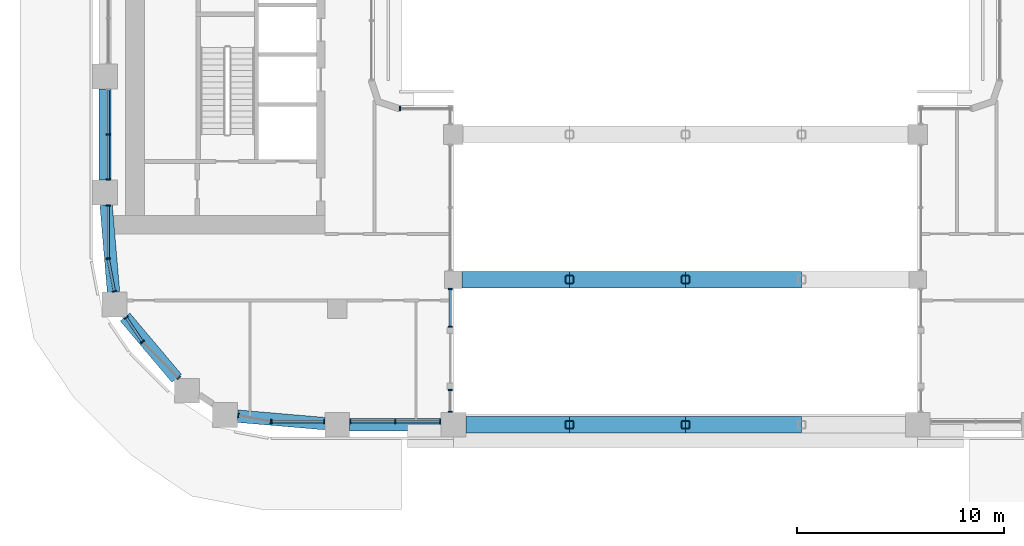
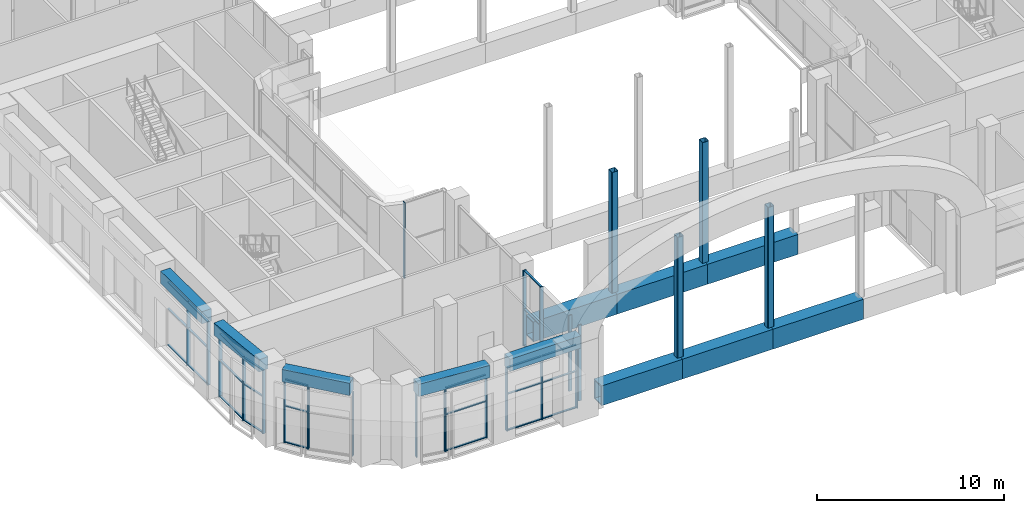
# One storey, part 2 of 28: 59 members, 5 beams, 11 elements without a shape of their own.
"""IFC4 building model written with IfcOpenShell, lengths in metres."""

from ifc_helpers import new_model, si_unit, direction, frame, origin, origin_2d, place, context, subcontext, project, spatial, rectangle, hollow_rectangle, extrude, material, layer, layer_set, material_profile, profile_set, type_object, element, aggregate, save


model = new_model("IFC4")

# Units and contexts
model_context = context("Model", 3, precision=1e-05, world=origin(), true_north=direction((0.0, 1.0)))
body_context = subcontext(model_context, "Body", "Model", "MODEL_VIEW")
ifc_project = project(units=[si_unit("LENGTHUNIT", "METRE"), si_unit("AREAUNIT", "SQUARE_METRE"), si_unit("VOLUMEUNIT", "CUBIC_METRE"), si_unit("PLANEANGLEUNIT", "RADIAN"), si_unit("MASSUNIT", "GRAM", prefix="KILO")], contexts=[model_context])

# Site, building, storey
site_placement = place(None, origin())
site = spatial("IfcSite", under=ifc_project, at=site_placement, CompositionType="ELEMENT")
building_placement = place(site_placement, origin())
building = spatial("IfcBuilding", under=site, at=building_placement, Name="Kiln Ring Residences", CompositionType="ELEMENT")
storey_placement = place(building_placement, frame((0.0, 0.0, 125.300048828125)))
storey = spatial("IfcBuildingStorey", under=building, at=storey_placement, Name="L32", CompositionType="ELEMENT", Elevation=125.300048828125)

# Members
ifc_material_1 = material(Name="Steel S460", Category="steel")
ifc_material_profile_1 = material_profile(ifc_material_1, hollow_rectangle(XDim=0.800048828125, YDim=1.300048828125, WallThickness=0.070068359375, at=origin_2d()), Name="BOX1300x800x70")
ifc_profile_set_1 = profile_set([ifc_material_profile_1], Name="Steel S460")
member_type_1 = type_object("IfcMemberType", Name="Bridge truss chord BOX1300x800x70 S460", PredefinedType="CHORD", material=ifc_profile_set_1)
member_1_placement = place(storey_placement, frame((-10.60009765625, -22.39990234375, 0.64990234375), z_axis=(1.0, 0.0, 0.0), x_axis=(0.0, 1.0, 0.0)))
element("IfcMember", 1, at=member_1_placement, inside=storey, type_object=member_type_1, Name="Bridge truss chord L32 1", PredefinedType="CHORD", context=body_context, shape_type="SweptSolid", body=[
    extrude(hollow_rectangle(XDim=0.800048828125, YDim=1.300048828125, WallThickness=0.070068359375, at=origin_2d()), origin(), (0.0, 0.0, 1.0), 5.0),
])
for number, where, z_axis, x_axis, name in (
    (2, (-5.60009765625, -22.39990234375, 0.64990234375), (1.0, 0.0, 0.0), (0.0, 1.0, 0.0), "Bridge truss chord L32 2"),
    (3, (0.0, -22.39990234375, 0.64990234375), (1.0, 0.0, 0.0), (0.0, 1.0, 0.0), "Bridge truss chord L32 3"),
):
    element("IfcMember", number, at=place(storey_placement, frame(where, z_axis=z_axis, x_axis=x_axis)), inside=storey, type_object=member_type_1, Name=name, PredefinedType="CHORD", context=body_context, shape_type="SweptSolid", body=[
        extrude(hollow_rectangle(XDim=0.800048828125, YDim=1.300048828125, WallThickness=0.070068359375, at=origin_2d()), origin(), (0.0, 0.0, 1.0), 5.60009765625),
    ])
member_2_placement = place(storey_placement, frame((-10.77490234375, -15.39990234375, 0.64990234375), z_axis=(1.0, 0.0, 0.0), x_axis=(0.0, 1.0, 0.0)))
element("IfcMember", 4, at=member_2_placement, inside=storey, type_object=member_type_1, Name="Bridge truss chord L32 5", PredefinedType="CHORD", context=body_context, shape_type="SweptSolid", body=[
    extrude(hollow_rectangle(XDim=0.800048828125, YDim=1.300048828125, WallThickness=0.070068359375, at=origin_2d()), origin(), (0.0, 0.0, 1.0), 5.1748046875),
])
for number, where, z_axis, x_axis, name in (
    (5, (-5.60009765625, -15.39990234375, 0.64990234375), (1.0, 0.0, 0.0), (0.0, 1.0, 0.0), "Bridge truss chord L32 6"),
    (6, (0.0, -15.39990234375, 0.64990234375), (1.0, 0.0, 0.0), (0.0, 1.0, 0.0), "Bridge truss chord L32 7"),
):
    element("IfcMember", number, at=place(storey_placement, frame(where, z_axis=z_axis, x_axis=x_axis)), inside=storey, type_object=member_type_1, Name=name, PredefinedType="CHORD", context=body_context, shape_type="SweptSolid", body=[
        extrude(hollow_rectangle(XDim=0.800048828125, YDim=1.300048828125, WallThickness=0.070068359375, at=origin_2d()), origin(), (0.0, 0.0, 1.0), 5.60009765625),
    ])
ifc_material_2 = material(Name="Steel S355", Category="steel")
ifc_material_profile_2 = material_profile(ifc_material_2, hollow_rectangle(XDim=0.39990234375, YDim=0.39990234375, WallThickness=0.02490234375, InnerFilletRadius=0.02490234375, OuterFilletRadius=0.0625, at=origin_2d()), Name="SHS400x400x25")
ifc_profile_set_2 = profile_set([ifc_material_profile_2], Name="Steel S355")
member_type_2 = type_object("IfcMemberType", Name="Bridge truss post SHS400x400x25 S355", PredefinedType="POST", material=ifc_profile_set_2)
for number, where, z_axis, x_axis, name in (
    (7, (-5.60009765625, -22.39990234375, 1.300048828125), (0.0, 0.0, 1.0), (1.0, 0.0, 0.0), "Bridge truss post L32 1"),
    (8, (0.0, -22.39990234375, 1.300048828125), (0.0, 0.0, 1.0), (1.0, 0.0, 0.0), "Bridge truss post L32 2"),
    (9, (-5.60009765625, -15.39990234375, 1.300048828125), (0.0, 0.0, 1.0), (1.0, 0.0, 0.0), "Bridge truss post L32 4"),
    (10, (0.0, -15.39990234375, 1.300048828125), (0.0, 0.0, 1.0), (1.0, 0.0, 0.0), "Bridge truss post L32 5"),
):
    element("IfcMember", number, at=place(storey_placement, frame(where, z_axis=z_axis, x_axis=x_axis)), inside=storey, type_object=member_type_2, Name=name, PredefinedType="POST", context=body_context, shape_type="SweptSolid", body=[
        extrude(hollow_rectangle(XDim=0.39990234375, YDim=0.39990234375, WallThickness=0.02490234375, InnerFilletRadius=0.02490234375, OuterFilletRadius=0.0625, at=origin_2d()), origin(), (0.0, 0.0, 1.0), 7.89990234375),
    ])

# Curtain wall, members
ifc_material_3 = material(Name="Aluminium and glass", Category="aluminium")
ifc_layer = layer(ifc_material_3, 0.199951171875)
ifc_layer_set = layer_set([ifc_layer], Name="CW1 CURTAIN WALL")
curtain_wall_type = type_object("IfcCurtainWallType", Name="CW1 CURTAIN WALL", PredefinedType="NOTDEFINED", material=ifc_layer_set)
placement = place(storey_placement, origin())
curtain_wall_1 = element("IfcCurtainWall", 11, at=placement, inside=storey, type_object=curtain_wall_type, Name="Curtain wall CW1 L32", PredefinedType="NOTDEFINED")
ifc_material_4 = material(Name="Aluminium 6063-T6", Category="aluminium")
ifc_material_profile_3 = material_profile(ifc_material_4, rectangle(XDim=0.199951171875, YDim=0.06005859375, at=origin_2d()), Name="AL 200x60")
ifc_profile_set_3 = profile_set([ifc_material_profile_3], Name="Aluminium 6063-T6")
member_type_3 = type_object("IfcMemberType", Name="CW1 MULLION 200 x 60", PredefinedType="MULLION", material=ifc_profile_set_3)
member_3_placement = place(storey_placement, frame((-27.846923828125, -14.4013671875, 0.0), z_axis=(0.0, 0.0, 1.0), x_axis=(0.982290257803, 0.187365550262, 0.0)))
member_3 = element("IfcMember", 12, at=member_3_placement, type_object=member_type_3, Name="CW1 mullion 1", PredefinedType="MULLION", context=body_context, shape_type="SweptSolid", body=[
    extrude(rectangle(XDim=0.199951171875, YDim=0.06005859375, at=origin_2d()), origin(), (0.0, 0.0, 1.0), 4.14990234375),
])
member_4_placement = place(storey_placement, frame((-27.548095703125, -15.96923828125, 0.0), z_axis=(0.0, 0.0, 1.0), x_axis=(0.982290257803, 0.187365550262, 0.0)))
member_4 = element("IfcMember", 13, at=member_4_placement, type_object=member_type_3, Name="CW1 mullion 2", PredefinedType="MULLION", context=body_context, shape_type="SweptSolid", body=[
    extrude(rectangle(XDim=0.199951171875, YDim=0.06005859375, at=origin_2d()), origin(), (0.0, 0.0, 1.0), 4.14990234375),
])

curtain_wall_2 = element("IfcCurtainWall", 14, at=placement, inside=storey, type_object=curtain_wall_type, Name="Curtain wall CW1 L32", PredefinedType="NOTDEFINED")
member_5_placement = place(storey_placement, frame((-26.980224609375, -17.2333984375, 0.0), z_axis=(0.0, 0.0, 1.0), x_axis=(0.827071553419, 0.562096651409, 0.0)))
member_5 = element("IfcMember", 15, at=member_5_placement, type_object=member_type_3, Name="CW1 mullion 1", PredefinedType="MULLION", context=body_context, shape_type="SweptSolid", body=[
    extrude(rectangle(XDim=0.199951171875, YDim=0.06005859375, at=origin_2d()), origin(), (0.0, 0.0, 1.0), 4.14990234375),
])
member_6_placement = place(storey_placement, frame((-26.19580078125, -18.387939453125, 0.0), z_axis=(0.0, 0.0, 1.0), x_axis=(0.827071553419, 0.562096651409, 0.0)))
member_6 = element("IfcMember", 16, at=member_6_placement, type_object=member_type_3, Name="CW1 mullion 2", PredefinedType="MULLION", context=body_context, shape_type="SweptSolid", body=[
    extrude(rectangle(XDim=0.199951171875, YDim=0.06005859375, at=origin_2d()), origin(), (0.0, 0.0, 1.0), 4.14990234375),
])

curtain_wall_3 = element("IfcCurtainWall", 17, at=placement, inside=storey, type_object=curtain_wall_type, Name="Curtain wall CW1 L32", PredefinedType="NOTDEFINED")
member_7_placement = place(storey_placement, frame((-26.17578125, -18.412109375, 0.0), z_axis=(0.0, 0.0, 1.0), x_axis=(0.707106781187, 0.707106781187, 0.0)))
member_7 = element("IfcMember", 18, at=member_7_placement, type_object=member_type_3, Name="CW1 mullion 1", PredefinedType="MULLION", context=body_context, shape_type="SweptSolid", body=[
    extrude(rectangle(XDim=0.199951171875, YDim=0.06005859375, at=origin_2d()), origin(), (0.0, 0.0, 1.0), 4.14990234375),
])
member_8_placement = place(storey_placement, frame((-24.44921875, -20.138671875, 0.0), z_axis=(0.0, 0.0, 1.0), x_axis=(0.707106781187, 0.707106781187, 0.0)))
member_8 = element("IfcMember", 19, at=member_8_placement, type_object=member_type_3, Name="CW1 mullion 2", PredefinedType="MULLION", context=body_context, shape_type="SweptSolid", body=[
    extrude(rectangle(XDim=0.199951171875, YDim=0.06005859375, at=origin_2d()), origin(), (0.0, 0.0, 1.0), 4.14990234375),
])
aggregate(curtain_wall_3, [member_7, member_8])

curtain_wall_4 = element("IfcCurtainWall", 20, at=placement, inside=storey, type_object=curtain_wall_type, Name="Curtain wall CW1 L32", PredefinedType="NOTDEFINED")
member_9_placement = place(storey_placement, frame((-21.5693359375, -21.947998046875, 0.0), z_axis=(0.0, 0.0, 1.0), x_axis=(0.187365550262, 0.982290257803, 0.0)))
member_9 = element("IfcMember", 21, at=member_9_placement, type_object=member_type_3, Name="CW1 mullion 1", PredefinedType="MULLION", context=body_context, shape_type="SweptSolid", body=[
    extrude(rectangle(XDim=0.199951171875, YDim=0.06005859375, at=origin_2d()), origin(), (0.0, 0.0, 1.0), 4.14990234375),
])
member_10_placement = place(storey_placement, frame((-20.00146484375, -22.2470703125, 0.0), z_axis=(0.0, 0.0, 1.0), x_axis=(0.187365550262, 0.982290257803, 0.0)))
member_10 = element("IfcMember", 22, at=member_10_placement, type_object=member_type_3, Name="CW1 mullion 2", PredefinedType="MULLION", context=body_context, shape_type="SweptSolid", body=[
    extrude(rectangle(XDim=0.199951171875, YDim=0.06005859375, at=origin_2d()), origin(), (0.0, 0.0, 1.0), 4.14990234375),
])
aggregate(curtain_wall_4, [member_9, member_10])

curtain_wall_5 = element("IfcCurtainWall", 23, at=placement, inside=storey, type_object=curtain_wall_type, Name="Curtain wall CW1 L32", PredefinedType="NOTDEFINED")
member_11_placement = place(storey_placement, frame((-19.969970703125, -22.25, 0.0), z_axis=(0.0, 0.0, 1.0), x_axis=(0.0, 1.0, 0.0)))
member_11 = element("IfcMember", 24, at=member_11_placement, type_object=member_type_3, Name="CW1 mullion 1", PredefinedType="MULLION", context=body_context, shape_type="SweptSolid", body=[
    extrude(rectangle(XDim=0.199951171875, YDim=0.06005859375, at=origin_2d()), origin(), (0.0, 0.0, 1.0), 4.14990234375),
])
member_12_placement = place(storey_placement, frame((-17.429931640625, -22.25, 0.0), z_axis=(0.0, 0.0, 1.0), x_axis=(0.0, 1.0, 0.0)))
member_12 = element("IfcMember", 25, at=member_12_placement, type_object=member_type_3, Name="CW1 mullion 2", PredefinedType="MULLION", context=body_context, shape_type="SweptSolid", body=[
    extrude(rectangle(XDim=0.199951171875, YDim=0.06005859375, at=origin_2d()), origin(), (0.0, 0.0, 1.0), 4.14990234375),
])

curtain_wall_6 = element("IfcCurtainWall", 26, at=placement, inside=storey, type_object=curtain_wall_type, Name="Curtain wall CW1 L32", PredefinedType="NOTDEFINED")
member_13_placement = place(storey_placement, frame((-16.169921875, -22.25, 0.0), z_axis=(0.0, 0.0, 1.0), x_axis=(0.0, 1.0, 0.0)))
member_13 = element("IfcMember", 27, at=member_13_placement, type_object=member_type_3, Name="CW1 mullion 1", PredefinedType="MULLION", context=body_context, shape_type="SweptSolid", body=[
    extrude(rectangle(XDim=0.199951171875, YDim=0.06005859375, at=origin_2d()), origin(), (0.0, 0.0, 1.0), 4.14990234375),
])
member_14_placement = place(storey_placement, frame((-14.0, -22.25, 0.0), z_axis=(0.0, 0.0, 1.0), x_axis=(0.0, 1.0, 0.0)))
member_14 = element("IfcMember", 28, at=member_14_placement, type_object=member_type_3, Name="CW1 mullion 2", PredefinedType="MULLION", context=body_context, shape_type="SweptSolid", body=[
    extrude(rectangle(XDim=0.199951171875, YDim=0.06005859375, at=origin_2d()), origin(), (0.0, 0.0, 1.0), 4.14990234375),
])
member_15_placement = place(storey_placement, frame((-11.830078125, -22.25, 0.0), z_axis=(0.0, 0.0, 1.0), x_axis=(0.0, 1.0, 0.0)))
member_15 = element("IfcMember", 29, at=member_15_placement, type_object=member_type_3, Name="CW1 mullion 3", PredefinedType="MULLION", context=body_context, shape_type="SweptSolid", body=[
    extrude(rectangle(XDim=0.199951171875, YDim=0.06005859375, at=origin_2d()), origin(), (0.0, 0.0, 1.0), 4.14990234375),
])

curtain_wall_7 = element("IfcCurtainWall", 30, at=placement, inside=storey, type_object=curtain_wall_type, Name="Curtain wall CW1 L32", PredefinedType="NOTDEFINED")
member_16_placement = place(storey_placement, frame((-11.35009765625, -21.77001953125, 0.0), z_axis=(0.0, 0.0, 1.0), x_axis=(-1.0, 0.0, 0.0)))
member_16 = element("IfcMember", 31, at=member_16_placement, type_object=member_type_3, Name="CW1 mullion 1", PredefinedType="MULLION", context=body_context, shape_type="SweptSolid", body=[
    extrude(rectangle(XDim=0.199951171875, YDim=0.06005859375, at=origin_2d()), origin(), (0.0, 0.0, 1.0), 4.949951171875),
])
member_17_placement = place(storey_placement, frame((-11.35009765625, -20.72998046875, 0.0), z_axis=(0.0, 0.0, 1.0), x_axis=(-1.0, 0.0, 0.0)))
member_17 = element("IfcMember", 32, at=member_17_placement, type_object=member_type_3, Name="CW1 mullion 2", PredefinedType="MULLION", context=body_context, shape_type="SweptSolid", body=[
    extrude(rectangle(XDim=0.199951171875, YDim=0.06005859375, at=origin_2d()), origin(), (0.0, 0.0, 1.0), 4.949951171875),
])
aggregate(curtain_wall_7, [member_16, member_17])

curtain_wall_8 = element("IfcCurtainWall", 33, at=placement, inside=storey, type_object=curtain_wall_type, Name="Curtain wall CW1 L32", PredefinedType="NOTDEFINED")
member_18_placement = place(storey_placement, frame((-11.35009765625, -17.669921875, 0.0), z_axis=(0.0, 0.0, 1.0), x_axis=(-1.0, 0.0, 0.0)))
member_18 = element("IfcMember", 34, at=member_18_placement, type_object=member_type_3, Name="CW1 mullion 1", PredefinedType="MULLION", context=body_context, shape_type="SweptSolid", body=[
    extrude(rectangle(XDim=0.199951171875, YDim=0.06005859375, at=origin_2d()), origin(), (0.0, 0.0, 1.0), 4.949951171875),
])
member_19_placement = place(storey_placement, frame((-11.35009765625, -15.85498046875, 0.0), z_axis=(0.0, 0.0, 1.0), x_axis=(-1.0, 0.0, 0.0)))
member_19 = element("IfcMember", 35, at=member_19_placement, type_object=member_type_3, Name="CW1 mullion 2", PredefinedType="MULLION", context=body_context, shape_type="SweptSolid", body=[
    extrude(rectangle(XDim=0.199951171875, YDim=0.06005859375, at=origin_2d()), origin(), (0.0, 0.0, 1.0), 4.949951171875),
])

# Curtain wall, member
curtain_wall_9 = element("IfcCurtainWall", 36, at=placement, inside=storey, type_object=curtain_wall_type, Name="Curtain wall CW1 L32", PredefinedType="NOTDEFINED")
member_20_placement = place(storey_placement, frame((-13.77001953125, -7.14990234375, 0.0), z_axis=(0.0, 0.0, 1.0), x_axis=(0.0, -1.0, 0.0)))
member_20 = element("IfcMember", 37, at=member_20_placement, type_object=member_type_3, Name="CW1 mullion 2", PredefinedType="MULLION", context=body_context, shape_type="SweptSolid", body=[
    extrude(rectangle(XDim=0.199951171875, YDim=0.06005859375, at=origin_2d()), origin(), (0.0, 0.0, 1.0), 4.949951171875),
])
aggregate(curtain_wall_9, [member_20])

# Curtain wall, members
curtain_wall_10 = element("IfcCurtainWall", 38, at=placement, inside=storey, type_object=curtain_wall_type, Name="Curtain wall CW1 L32", PredefinedType="NOTDEFINED")
member_21_placement = place(storey_placement, frame((-27.85009765625, -8.39990234375, 0.0), z_axis=(0.0, 0.0, 1.0), x_axis=(1.0, 0.0, 0.0)))
member_21 = element("IfcMember", 39, at=member_21_placement, type_object=member_type_3, Name="CW1 mullion 2", PredefinedType="MULLION", context=body_context, shape_type="SweptSolid", body=[
    extrude(rectangle(XDim=0.199951171875, YDim=0.06005859375, at=origin_2d()), origin(), (0.0, 0.0, 1.0), 4.14990234375),
])
member_22_placement = place(storey_placement, frame((-27.85009765625, -10.570068359375, 0.0), z_axis=(0.0, 0.0, 1.0), x_axis=(1.0, 0.0, 0.0)))
member_22 = element("IfcMember", 40, at=member_22_placement, type_object=member_type_3, Name="CW1 mullion 3", PredefinedType="MULLION", context=body_context, shape_type="SweptSolid", body=[
    extrude(rectangle(XDim=0.199951171875, YDim=0.06005859375, at=origin_2d()), origin(), (0.0, 0.0, 1.0), 4.14990234375),
])

curtain_wall_11 = element("IfcCurtainWall", 41, at=placement, inside=storey, type_object=curtain_wall_type, Name="Curtain wall CW1 L32", PredefinedType="NOTDEFINED")
member_23_placement = place(storey_placement, frame((-27.85009765625, -11.830078125, 0.0), z_axis=(0.0, 0.0, 1.0), x_axis=(1.0, 0.0, 0.0)))
member_23 = element("IfcMember", 42, at=member_23_placement, type_object=member_type_3, Name="CW1 mullion 1", PredefinedType="MULLION", context=body_context, shape_type="SweptSolid", body=[
    extrude(rectangle(XDim=0.199951171875, YDim=0.06005859375, at=origin_2d()), origin(), (0.0, 0.0, 1.0), 4.14990234375),
])
member_24_placement = place(storey_placement, frame((-27.85009765625, -14.3701171875, 0.0), z_axis=(0.0, 0.0, 1.0), x_axis=(1.0, 0.0, 0.0)))
member_24 = element("IfcMember", 43, at=member_24_placement, type_object=member_type_3, Name="CW1 mullion 2", PredefinedType="MULLION", context=body_context, shape_type="SweptSolid", body=[
    extrude(rectangle(XDim=0.199951171875, YDim=0.06005859375, at=origin_2d()), origin(), (0.0, 0.0, 1.0), 4.14990234375),
])

# Member
ifc_material_5 = material(Name="Aluminium 6063-T6", Category="aluminium")
ifc_material_profile_4 = material_profile(ifc_material_5, rectangle(XDim=0.1201171875, YDim=0.06005859375, at=origin_2d()), Name="AL 120x60")
ifc_profile_set_4 = profile_set([ifc_material_profile_4], Name="Aluminium 6063-T6")
member_type_4 = type_object("IfcMemberType", Name="CW1 TRANSOM 120 x 60", PredefinedType="USERDEFINED", material=ifc_profile_set_4)
member_25_placement = place(storey_placement, frame((-27.84130859375, -14.430908203125, 0.030029296875), z_axis=(0.187243579417, -0.98231351511, 0.0), x_axis=(0.98231351511, 0.187243579417, 0.0)))
member_25 = element("IfcMember", 44, at=member_25_placement, type_object=member_type_4, Name="CW1 transom 1.1", ObjectType="TRANSOM", PredefinedType="USERDEFINED", context=body_context, shape_type="SweptSolid", body=[
    extrude(rectangle(XDim=0.1201171875, YDim=0.06005859375, at=origin_2d()), origin(), (0.0, 0.0, 1.0), 1.535888671875),
])

member_26_placement = place(storey_placement, frame((-27.84130859375, -14.430908203125, 2.39990234375), z_axis=(0.187243579417, -0.98231351511, 0.0), x_axis=(0.98231351511, 0.187243579417, 0.0)))
member_26 = element("IfcMember", 45, at=member_26_placement, type_object=member_type_4, Name="CW1 transom 1.2", ObjectType="TRANSOM", PredefinedType="USERDEFINED", context=body_context, shape_type="SweptSolid", body=[
    extrude(rectangle(XDim=0.1201171875, YDim=0.06005859375, at=origin_2d()), origin(), (0.0, 0.0, 1.0), 1.535888671875),
])

member_27_placement = place(storey_placement, frame((-27.84130859375, -14.430908203125, 4.119873046875), z_axis=(0.187243579417, -0.98231351511, 0.0), x_axis=(0.98231351511, 0.187243579417, 0.0)))
member_27 = element("IfcMember", 46, at=member_27_placement, type_object=member_type_4, Name="CW1 transom 1.3", ObjectType="TRANSOM", PredefinedType="USERDEFINED", context=body_context, shape_type="SweptSolid", body=[
    extrude(rectangle(XDim=0.1201171875, YDim=0.06005859375, at=origin_2d()), origin(), (0.0, 0.0, 1.0), 1.535888671875),
])

aggregate(curtain_wall_1, [member_3, member_4, member_25, member_26, member_27])

member_28_placement = place(storey_placement, frame((-26.96337890625, -17.25830078125, 0.030029296875), z_axis=(0.562060017944, -0.82709644917, 0.0), x_axis=(0.82709644917, 0.562060017944, 0.0)))
member_28 = element("IfcMember", 47, at=member_28_placement, type_object=member_type_4, Name="CW1 transom 1.1", ObjectType="TRANSOM", PredefinedType="USERDEFINED", context=body_context, shape_type="SweptSolid", body=[
    extrude(rectangle(XDim=0.1201171875, YDim=0.06005859375, at=origin_2d()), origin(), (0.0, 0.0, 1.0), 1.335693359375),
])

member_29_placement = place(storey_placement, frame((-26.96337890625, -17.25830078125, 2.39990234375), z_axis=(0.562060017944, -0.82709644917, 0.0), x_axis=(0.82709644917, 0.562060017944, 0.0)))
member_29 = element("IfcMember", 48, at=member_29_placement, type_object=member_type_4, Name="CW1 transom 1.2", ObjectType="TRANSOM", PredefinedType="USERDEFINED", context=body_context, shape_type="SweptSolid", body=[
    extrude(rectangle(XDim=0.1201171875, YDim=0.06005859375, at=origin_2d()), origin(), (0.0, 0.0, 1.0), 1.335693359375),
])

member_30_placement = place(storey_placement, frame((-26.96337890625, -17.25830078125, 4.119873046875), z_axis=(0.562060017944, -0.82709644917, 0.0), x_axis=(0.82709644917, 0.562060017944, 0.0)))
member_30 = element("IfcMember", 49, at=member_30_placement, type_object=member_type_4, Name="CW1 transom 1.3", ObjectType="TRANSOM", PredefinedType="USERDEFINED", context=body_context, shape_type="SweptSolid", body=[
    extrude(rectangle(XDim=0.1201171875, YDim=0.06005859375, at=origin_2d()), origin(), (0.0, 0.0, 1.0), 1.335693359375),
])

aggregate(curtain_wall_2, [member_5, member_6, member_28, member_29, member_30])

member_31_placement = place(storey_placement, frame((-19.93994140625, -22.25, 0.030029296875), z_axis=(1.0, 0.0, 0.0), x_axis=(0.0, 1.0, 0.0)))
member_31 = element("IfcMember", 50, at=member_31_placement, type_object=member_type_4, Name="CW1 transom 1.1", ObjectType="TRANSOM", PredefinedType="USERDEFINED", context=body_context, shape_type="SweptSolid", body=[
    extrude(rectangle(XDim=0.1201171875, YDim=0.06005859375, at=origin_2d()), origin(), (0.0, 0.0, 1.0), 2.47998046875),
])

member_32_placement = place(storey_placement, frame((-19.93994140625, -22.25, 2.39990234375), z_axis=(1.0, 0.0, 0.0), x_axis=(0.0, 1.0, 0.0)))
member_32 = element("IfcMember", 51, at=member_32_placement, type_object=member_type_4, Name="CW1 transom 1.2", ObjectType="TRANSOM", PredefinedType="USERDEFINED", context=body_context, shape_type="SweptSolid", body=[
    extrude(rectangle(XDim=0.1201171875, YDim=0.06005859375, at=origin_2d()), origin(), (0.0, 0.0, 1.0), 2.47998046875),
])

member_33_placement = place(storey_placement, frame((-19.93994140625, -22.25, 4.119873046875), z_axis=(1.0, 0.0, 0.0), x_axis=(0.0, 1.0, 0.0)))
member_33 = element("IfcMember", 52, at=member_33_placement, type_object=member_type_4, Name="CW1 transom 1.3", ObjectType="TRANSOM", PredefinedType="USERDEFINED", context=body_context, shape_type="SweptSolid", body=[
    extrude(rectangle(XDim=0.1201171875, YDim=0.06005859375, at=origin_2d()), origin(), (0.0, 0.0, 1.0), 2.47998046875),
])

aggregate(curtain_wall_5, [member_11, member_12, member_31, member_32, member_33])

member_34_placement = place(storey_placement, frame((-16.139892578125, -22.25, 0.030029296875), z_axis=(1.0, 0.0, 0.0), x_axis=(0.0, 1.0, 0.0)))
member_34 = element("IfcMember", 53, at=member_34_placement, type_object=member_type_4, Name="CW1 transom 1.1", ObjectType="TRANSOM", PredefinedType="USERDEFINED", context=body_context, shape_type="SweptSolid", body=[
    extrude(rectangle(XDim=0.1201171875, YDim=0.06005859375, at=origin_2d()), origin(), (0.0, 0.0, 1.0), 2.10986328125),
])

member_35_placement = place(storey_placement, frame((-16.139892578125, -22.25, 2.39990234375), z_axis=(1.0, 0.0, 0.0), x_axis=(0.0, 1.0, 0.0)))
member_35 = element("IfcMember", 54, at=member_35_placement, type_object=member_type_4, Name="CW1 transom 1.2", ObjectType="TRANSOM", PredefinedType="USERDEFINED", context=body_context, shape_type="SweptSolid", body=[
    extrude(rectangle(XDim=0.1201171875, YDim=0.06005859375, at=origin_2d()), origin(), (0.0, 0.0, 1.0), 2.10986328125),
])

member_36_placement = place(storey_placement, frame((-16.139892578125, -22.25, 4.119873046875), z_axis=(1.0, 0.0, 0.0), x_axis=(0.0, 1.0, 0.0)))
member_36 = element("IfcMember", 55, at=member_36_placement, type_object=member_type_4, Name="CW1 transom 1.3", ObjectType="TRANSOM", PredefinedType="USERDEFINED", context=body_context, shape_type="SweptSolid", body=[
    extrude(rectangle(XDim=0.1201171875, YDim=0.06005859375, at=origin_2d()), origin(), (0.0, 0.0, 1.0), 2.10986328125),
])

member_37_placement = place(storey_placement, frame((-13.969970703125, -22.25, 0.030029296875), z_axis=(1.0, 0.0, 0.0), x_axis=(0.0, 1.0, 0.0)))
member_37 = element("IfcMember", 56, at=member_37_placement, type_object=member_type_4, Name="CW1 transom 2.1", ObjectType="TRANSOM", PredefinedType="USERDEFINED", context=body_context, shape_type="SweptSolid", body=[
    extrude(rectangle(XDim=0.1201171875, YDim=0.06005859375, at=origin_2d()), origin(), (0.0, 0.0, 1.0), 2.10986328125),
])

member_38_placement = place(storey_placement, frame((-13.969970703125, -22.25, 2.39990234375), z_axis=(1.0, 0.0, 0.0), x_axis=(0.0, 1.0, 0.0)))
member_38 = element("IfcMember", 57, at=member_38_placement, type_object=member_type_4, Name="CW1 transom 2.2", ObjectType="TRANSOM", PredefinedType="USERDEFINED", context=body_context, shape_type="SweptSolid", body=[
    extrude(rectangle(XDim=0.1201171875, YDim=0.06005859375, at=origin_2d()), origin(), (0.0, 0.0, 1.0), 2.10986328125),
])

member_39_placement = place(storey_placement, frame((-13.969970703125, -22.25, 4.119873046875), z_axis=(1.0, 0.0, 0.0), x_axis=(0.0, 1.0, 0.0)))
member_39 = element("IfcMember", 58, at=member_39_placement, type_object=member_type_4, Name="CW1 transom 2.3", ObjectType="TRANSOM", PredefinedType="USERDEFINED", context=body_context, shape_type="SweptSolid", body=[
    extrude(rectangle(XDim=0.1201171875, YDim=0.06005859375, at=origin_2d()), origin(), (0.0, 0.0, 1.0), 2.10986328125),
])

aggregate(curtain_wall_6, [member_13, member_14, member_15, member_34, member_35, member_36, member_37, member_38, member_39])

member_40_placement = place(storey_placement, frame((-11.35009765625, -17.639892578125, 0.030029296875), z_axis=(0.0, 1.0, 0.0), x_axis=(-1.0, 0.0, 0.0)))
member_40 = element("IfcMember", 59, at=member_40_placement, type_object=member_type_4, Name="CW1 transom 1.1", ObjectType="TRANSOM", PredefinedType="USERDEFINED", context=body_context, shape_type="SweptSolid", body=[
    extrude(rectangle(XDim=0.1201171875, YDim=0.06005859375, at=origin_2d()), origin(), (0.0, 0.0, 1.0), 1.7548828125),
])

member_41_placement = place(storey_placement, frame((-11.35009765625, -17.639892578125, 2.39990234375), z_axis=(0.0, 1.0, 0.0), x_axis=(-1.0, 0.0, 0.0)))
member_41 = element("IfcMember", 60, at=member_41_placement, type_object=member_type_4, Name="CW1 transom 1.2", ObjectType="TRANSOM", PredefinedType="USERDEFINED", context=body_context, shape_type="SweptSolid", body=[
    extrude(rectangle(XDim=0.1201171875, YDim=0.06005859375, at=origin_2d()), origin(), (0.0, 0.0, 1.0), 1.7548828125),
])

member_42_placement = place(storey_placement, frame((-11.35009765625, -17.639892578125, 4.919921875), z_axis=(0.0, 1.0, 0.0), x_axis=(-1.0, 0.0, 0.0)))
member_42 = element("IfcMember", 61, at=member_42_placement, type_object=member_type_4, Name="CW1 transom 1.3", ObjectType="TRANSOM", PredefinedType="USERDEFINED", context=body_context, shape_type="SweptSolid", body=[
    extrude(rectangle(XDim=0.1201171875, YDim=0.06005859375, at=origin_2d()), origin(), (0.0, 0.0, 1.0), 1.7548828125),
])

aggregate(curtain_wall_8, [member_18, member_19, member_40, member_41, member_42])

member_43_placement = place(storey_placement, frame((-27.85009765625, -6.260009765625, 0.030029296875), z_axis=(0.0, -1.0, 0.0), x_axis=(1.0, 0.0, 0.0)))
member_43 = element("IfcMember", 62, at=member_43_placement, type_object=member_type_4, Name="CW1 transom 1.1", ObjectType="TRANSOM", PredefinedType="USERDEFINED", context=body_context, shape_type="SweptSolid", body=[
    extrude(rectangle(XDim=0.1201171875, YDim=0.06005859375, at=origin_2d()), origin(), (0.0, 0.0, 1.0), 2.110107421875),
])

member_44_placement = place(storey_placement, frame((-27.85009765625, -6.260009765625, 2.39990234375), z_axis=(0.0, -1.0, 0.0), x_axis=(1.0, 0.0, 0.0)))
member_44 = element("IfcMember", 63, at=member_44_placement, type_object=member_type_4, Name="CW1 transom 1.2", ObjectType="TRANSOM", PredefinedType="USERDEFINED", context=body_context, shape_type="SweptSolid", body=[
    extrude(rectangle(XDim=0.1201171875, YDim=0.06005859375, at=origin_2d()), origin(), (0.0, 0.0, 1.0), 2.110107421875),
])

member_45_placement = place(storey_placement, frame((-27.85009765625, -6.260009765625, 4.119873046875), z_axis=(0.0, -1.0, 0.0), x_axis=(1.0, 0.0, 0.0)))
member_45 = element("IfcMember", 64, at=member_45_placement, type_object=member_type_4, Name="CW1 transom 1.3", ObjectType="TRANSOM", PredefinedType="USERDEFINED", context=body_context, shape_type="SweptSolid", body=[
    extrude(rectangle(XDim=0.1201171875, YDim=0.06005859375, at=origin_2d()), origin(), (0.0, 0.0, 1.0), 2.110107421875),
])

member_46_placement = place(storey_placement, frame((-27.85009765625, -8.429931640625, 0.030029296875), z_axis=(0.0, -1.0, 0.0), x_axis=(1.0, 0.0, 0.0)))
member_46 = element("IfcMember", 65, at=member_46_placement, type_object=member_type_4, Name="CW1 transom 2.1", ObjectType="TRANSOM", PredefinedType="USERDEFINED", context=body_context, shape_type="SweptSolid", body=[
    extrude(rectangle(XDim=0.1201171875, YDim=0.06005859375, at=origin_2d()), origin(), (0.0, 0.0, 1.0), 2.110107421875),
])

member_47_placement = place(storey_placement, frame((-27.85009765625, -8.429931640625, 2.39990234375), z_axis=(0.0, -1.0, 0.0), x_axis=(1.0, 0.0, 0.0)))
member_47 = element("IfcMember", 66, at=member_47_placement, type_object=member_type_4, Name="CW1 transom 2.2", ObjectType="TRANSOM", PredefinedType="USERDEFINED", context=body_context, shape_type="SweptSolid", body=[
    extrude(rectangle(XDim=0.1201171875, YDim=0.06005859375, at=origin_2d()), origin(), (0.0, 0.0, 1.0), 2.110107421875),
])

member_48_placement = place(storey_placement, frame((-27.85009765625, -8.429931640625, 4.119873046875), z_axis=(0.0, -1.0, 0.0), x_axis=(1.0, 0.0, 0.0)))
member_48 = element("IfcMember", 67, at=member_48_placement, type_object=member_type_4, Name="CW1 transom 2.3", ObjectType="TRANSOM", PredefinedType="USERDEFINED", context=body_context, shape_type="SweptSolid", body=[
    extrude(rectangle(XDim=0.1201171875, YDim=0.06005859375, at=origin_2d()), origin(), (0.0, 0.0, 1.0), 2.110107421875),
])

aggregate(curtain_wall_10, [member_21, member_22, member_43, member_44, member_45, member_46, member_47, member_48])

member_49_placement = place(storey_placement, frame((-27.85009765625, -11.860107421875, 0.030029296875), z_axis=(0.0, -1.0, 0.0), x_axis=(1.0, 0.0, 0.0)))
member_49 = element("IfcMember", 68, at=member_49_placement, type_object=member_type_4, Name="CW1 transom 1.1", ObjectType="TRANSOM", PredefinedType="USERDEFINED", context=body_context, shape_type="SweptSolid", body=[
    extrude(rectangle(XDim=0.1201171875, YDim=0.06005859375, at=origin_2d()), origin(), (0.0, 0.0, 1.0), 2.47998046875),
])

member_50_placement = place(storey_placement, frame((-27.85009765625, -11.860107421875, 2.39990234375), z_axis=(0.0, -1.0, 0.0), x_axis=(1.0, 0.0, 0.0)))
member_50 = element("IfcMember", 69, at=member_50_placement, type_object=member_type_4, Name="CW1 transom 1.2", ObjectType="TRANSOM", PredefinedType="USERDEFINED", context=body_context, shape_type="SweptSolid", body=[
    extrude(rectangle(XDim=0.1201171875, YDim=0.06005859375, at=origin_2d()), origin(), (0.0, 0.0, 1.0), 2.47998046875),
])

member_51_placement = place(storey_placement, frame((-27.85009765625, -11.860107421875, 4.119873046875), z_axis=(0.0, -1.0, 0.0), x_axis=(1.0, 0.0, 0.0)))
member_51 = element("IfcMember", 70, at=member_51_placement, type_object=member_type_4, Name="CW1 transom 1.3", ObjectType="TRANSOM", PredefinedType="USERDEFINED", context=body_context, shape_type="SweptSolid", body=[
    extrude(rectangle(XDim=0.1201171875, YDim=0.06005859375, at=origin_2d()), origin(), (0.0, 0.0, 1.0), 2.47998046875),
])

aggregate(curtain_wall_11, [member_23, member_24, member_49, member_50, member_51])

# Beams
ifc_material_6 = material(Name="Concrete C50/60", Category="concrete")
ifc_material_profile_5 = material_profile(ifc_material_6, rectangle(XDim=0.60009765625, YDim=0.800048828125, at=origin_2d()), Name="RC600x800")
ifc_profile_set_5 = profile_set([ifc_material_profile_5], Name="Concrete C50/60")
beam_type = type_object("IfcBeamType", Name="Spandrel beam RC600x800 C50/60", PredefinedType="SPANDREL", material=ifc_profile_set_5)
beam_1_placement = place(storey_placement, frame((-21.608642578125, -21.9892578125, 4.550048828125), z_axis=(0.996369376645, -0.085135570033, 0.0), x_axis=(0.085135570033, 0.996369376645, 0.0)))
element("IfcBeam", 71, at=beam_1_placement, inside=storey, type_object=beam_type, Name="Spandrel beam L32 1", PredefinedType="SPANDREL", context=body_context, shape_type="SweptSolid", body=[
    extrude(rectangle(XDim=0.60009765625, YDim=0.800048828125, at=origin_2d()), origin(), (0.0, 0.0, 1.0), 4.22412109375),
])
beam_2_placement = place(storey_placement, frame((-16.199951171875, -22.39990234375, 4.550048828125), z_axis=(1.0, 0.0, 0.0), x_axis=(0.0, 1.0, 0.0)))
element("IfcBeam", 72, at=beam_2_placement, inside=storey, type_object=beam_type, Name="Spandrel beam L32 2", PredefinedType="SPANDREL", context=body_context, shape_type="SweptSolid", body=[
    extrude(rectangle(XDim=0.60009765625, YDim=0.800048828125, at=origin_2d()), origin(), (0.0, 0.0, 1.0), 4.39990234375),
])
beam_3_placement = place(storey_placement, frame((-28.0, -6.199951171875, 4.550048828125), z_axis=(0.0, -1.0, 0.0), x_axis=(1.0, 0.0, 0.0)))
element("IfcBeam", 73, at=beam_3_placement, inside=storey, type_object=beam_type, Name="Spandrel beam L32 22", PredefinedType="SPANDREL", context=body_context, shape_type="SweptSolid", body=[
    extrude(rectangle(XDim=0.60009765625, YDim=0.800048828125, at=origin_2d()), origin(), (0.0, 0.0, 1.0), 4.400146484375),
])
beam_4_placement = place(storey_placement, frame((-27.94873046875, -11.800048828125, 4.550048828125), z_axis=(0.085078191129, -0.996374277766, 0.0), x_axis=(0.996374277766, 0.085078191129, 0.0)))
element("IfcBeam", 74, at=beam_4_placement, inside=storey, type_object=beam_type, Name="Spandrel beam L32 23", PredefinedType="SPANDREL", context=body_context, shape_type="SweptSolid", body=[
    extrude(rectangle(XDim=0.60009765625, YDim=0.800048828125, at=origin_2d()), origin(), (0.0, 0.0, 1.0), 4.22412109375),
])
beam_5_placement = place(storey_placement, frame((-27.032470703125, -17.208740234375, 4.550048828125), z_axis=(0.644344175314, -0.764735629965, 0.0), x_axis=(0.764735629965, 0.644344175314, 0.0)))
element("IfcBeam", 75, at=beam_5_placement, inside=storey, type_object=beam_type, Name="Spandrel beam L32 24", PredefinedType="SPANDREL", context=body_context, shape_type="SweptSolid", body=[
    extrude(rectangle(XDim=0.60009765625, YDim=0.800048828125, at=origin_2d()), origin(), (0.0, 0.0, 1.0), 3.859130859375),
])

save(model, "model.ifc")
